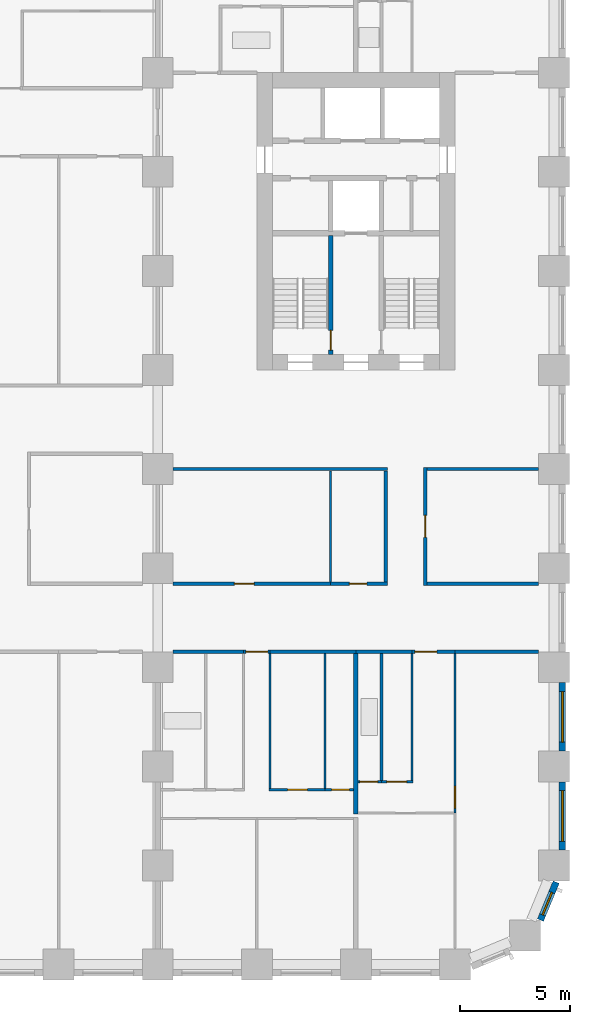
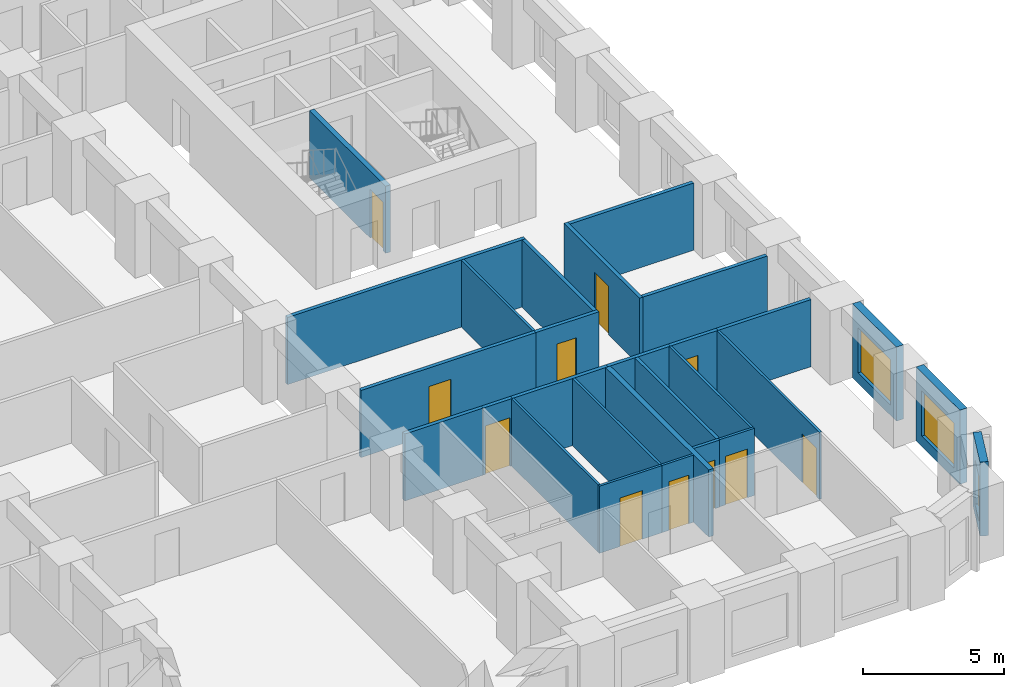
# One storey, part 5 of 13: 28 walls, 11 doors, 3 windows, 14 openings.
"""IFC4 building model written with IfcOpenShell, lengths in metres."""

from ifc_helpers import new_model, si_unit, direction, frame, frame_2d, origin, place, context, subcontext, project, spatial, rectangle, extrude, material, layer, layer_set, type_object, element, fill, save


model = new_model("IFC4")

# Units and contexts
model_context = context("Model", 3, precision=1e-05, world=origin(), true_north=direction((0.0, 1.0)))
body_context = subcontext(model_context, "Body", "Model", "MODEL_VIEW")
ifc_project = project(units=[si_unit("LENGTHUNIT", "METRE"), si_unit("AREAUNIT", "SQUARE_METRE"), si_unit("VOLUMEUNIT", "CUBIC_METRE"), si_unit("PLANEANGLEUNIT", "RADIAN"), si_unit("MASSUNIT", "GRAM", prefix="KILO")], contexts=[model_context])

# Site, building, storey
site_placement = place(None, origin())
site = spatial("IfcSite", under=ifc_project, at=site_placement, CompositionType="ELEMENT")
building_placement = place(site_placement, origin())
building = spatial("IfcBuilding", under=site, at=building_placement, Name="Girih Gate Residences", CompositionType="ELEMENT")
storey_placement = place(building_placement, frame((0.0, 0.0, 52.800048828125)))
storey = spatial("IfcBuildingStorey", under=building, at=storey_placement, Name="L13", CompositionType="ELEMENT", Elevation=52.800048828125)

# Wall
ifc_material_1 = material(Name="Gypsum board on steel studs", Category="steel")
ifc_layer_1 = layer(ifc_material_1, 0.14990234375)
ifc_layer_set_1 = layer_set([ifc_layer_1], Name="Compartment wall 150 mm")
wall_type_1 = type_object("IfcWallType", Name="Compartment wall 150 mm", PredefinedType="PARTITIONING", material=ifc_layer_set_1)
wall_1_placement = place(storey_placement, frame((40.5, 14.199951171875, 0.0), z_axis=(0.0, 0.0, 1.0), x_axis=(1.0, 0.0, 0.0)))
element("IfcWall", 1, at=wall_1_placement, inside=storey, type_object=wall_type_1, Name="L13 partition", PredefinedType="PARTITIONING", context=body_context, shape_type="SweptSolid", body=[
    extrude(rectangle(XDim=2.550048828125, YDim=0.14990234375, at=frame_2d((1.27490234375, 0.0))), origin(), (0.0, 0.0, 1.0), 2.89990234375),
])

# Wall, opening, door
wall_2_placement = place(storey_placement, frame((45.0, 14.199951171875, 0.0), z_axis=(0.0, 0.0, 1.0), x_axis=(-1.0, 0.0, 0.0)))
wall_2 = element("IfcWall", 2, at=wall_2_placement, inside=storey, type_object=wall_type_1, Name="L13 partition", PredefinedType="PARTITIONING", context=body_context, shape_type="SweptSolid", body=[
    extrude(rectangle(XDim=1.949951171875, YDim=0.14990234375, at=frame_2d((0.97509765625, 0.0))), origin(), (0.0, 0.0, 1.0), 2.89990234375),
])
opening_1_placement = place(wall_2_placement, frame((0.820068359375, 0.0, 0.0)))
opening_1 = element("IfcOpeningElement", 3, at=opening_1_placement, cuts=wall_2, Name="Opening A13-021", PredefinedType="OPENING", context=body_context, shape_type="SweptSolid", body=[
    extrude(rectangle(XDim=1.0, YDim=2.10009765625, at=frame_2d((0.5, 1.050048828125))), frame((0.0, 0.0849609375, 0.0), z_axis=(0.0, -1.0, 0.0), x_axis=(1.0, 0.0, 0.0)), (0.0, 0.0, 1.0), 0.169921875),
])
ifc_material_2 = material(Name="Timber, fire-rated core", Category="wood")
door_type_1 = type_object("IfcDoorType", Name="Flat entrance door 1000x2100 FD30S", OperationType="NOTDEFINED", PredefinedType="DOOR", material=ifc_material_2)
door_1_placement = place(opening_1_placement, origin())
door_1 = element("IfcDoor", 4, at=door_1_placement, inside=storey, type_object=door_type_1, Name="Door A13-021", OperationType="SINGLE_SWING_RIGHT", OverallHeight=2.10009765625, OverallWidth=1.0, PredefinedType="DOOR", context=body_context, shape_type="SweptSolid", body=[
    extrude(rectangle(XDim=1.0, YDim=2.10009765625, at=frame_2d((0.5, 1.050048828125))), frame((0.0, 0.02490234375, 0.0), z_axis=(0.0, -1.0, 0.0), x_axis=(1.0, 0.0, 0.0)), (0.0, 0.0, 1.0), 0.050048828125),
])
fill(opening_1, door_1)

# Walls
wall_3_placement = place(storey_placement, frame((45.0, 14.199951171875, 0.0), z_axis=(0.0, 0.0, 1.0), x_axis=(1.0, 0.0, 0.0)))
element("IfcWall", 5, at=wall_3_placement, inside=storey, type_object=wall_type_1, Name="L13 partition", PredefinedType="PARTITIONING", context=body_context, shape_type="SweptSolid", body=[
    extrude(rectangle(XDim=3.800048828125, YDim=0.14990234375, at=frame_2d((1.89990234375, 0.0))), origin(), (0.0, 0.0, 1.0), 2.89990234375),
])
wall_4_placement = place(storey_placement, frame((32.199951171875, 14.199951171875, 0.0), z_axis=(0.0, 0.0, 1.0), x_axis=(1.0, 0.0, 0.0)))
element("IfcWall", 6, at=wall_4_placement, inside=storey, type_object=wall_type_1, Name="L13 partition", PredefinedType="PARTITIONING", context=body_context, shape_type="SweptSolid", body=[
    extrude(rectangle(XDim=3.199951171875, YDim=0.14990234375, at=frame_2d((1.60009765625, 0.0))), origin(), (0.0, 0.0, 1.0), 2.89990234375),
])

# Wall, opening, door
wall_5_placement = place(storey_placement, frame((36.60009765625, 14.199951171875, 0.0), z_axis=(0.0, 0.0, 1.0), x_axis=(-1.0, 0.0, 0.0)))
wall_5 = element("IfcWall", 7, at=wall_5_placement, inside=storey, type_object=wall_type_1, Name="L13 partition", PredefinedType="PARTITIONING", context=body_context, shape_type="SweptSolid", body=[
    extrude(rectangle(XDim=1.2001953125, YDim=0.14990234375, at=frame_2d((0.60009765625, 0.0))), origin(), (0.0, 0.0, 1.0), 2.89990234375),
])
opening_2_placement = place(wall_5_placement, frame((0.10009765625, 0.0, 0.0)))
opening_2 = element("IfcOpeningElement", 8, at=opening_2_placement, cuts=wall_5, Name="Opening A13-028", PredefinedType="OPENING", context=body_context, shape_type="SweptSolid", body=[
    extrude(rectangle(XDim=1.0, YDim=2.10009765625, at=frame_2d((0.5, 1.050048828125))), frame((0.0, 0.0849609375, 0.0), z_axis=(0.0, -1.0, 0.0), x_axis=(1.0, 0.0, 0.0)), (0.0, 0.0, 1.0), 0.169921875),
])
door_2_placement = place(opening_2_placement, origin())
door_2 = element("IfcDoor", 9, at=door_2_placement, inside=storey, type_object=door_type_1, Name="Door A13-028", OperationType="SINGLE_SWING_RIGHT", OverallHeight=2.10009765625, OverallWidth=1.0, PredefinedType="DOOR", context=body_context, shape_type="SweptSolid", body=[
    extrude(rectangle(XDim=1.0, YDim=2.10009765625, at=frame_2d((0.5, 1.050048828125))), frame((0.0, 0.02490234375, 0.0), z_axis=(0.0, -1.0, 0.0), x_axis=(1.0, 0.0, 0.0)), (0.0, 0.0, 1.0), 0.050048828125),
])
fill(opening_2, door_2)

# Wall
wall_6_placement = place(storey_placement, frame((36.60009765625, 14.199951171875, 0.0), z_axis=(0.0, 0.0, 1.0), x_axis=(1.0, 0.0, 0.0)))
element("IfcWall", 10, at=wall_6_placement, inside=storey, type_object=wall_type_1, Name="L13 partition", PredefinedType="PARTITIONING", context=body_context, shape_type="SweptSolid", body=[
    extrude(rectangle(XDim=3.89990234375, YDim=0.14990234375, at=frame_2d((1.949951171875, 0.0))), origin(), (0.0, 0.0, 1.0), 2.89990234375),
])

# Wall, opening, door
wall_7_placement = place(storey_placement, frame((32.199951171875, 17.300048828125, 0.0), z_axis=(0.0, 0.0, 1.0), x_axis=(1.0, 0.0, 0.0)))
wall_7 = element("IfcWall", 11, at=wall_7_placement, inside=storey, type_object=wall_type_1, Name="L13 partition", PredefinedType="PARTITIONING", context=body_context, shape_type="SweptSolid", body=[
    extrude(rectangle(XDim=7.150146484375, YDim=0.14990234375, at=frame_2d((3.5751953125, 0.0))), origin(), (0.0, 0.0, 1.0), 2.89990234375),
])
opening_3_placement = place(wall_7_placement, frame((2.77490234375, 0.0, 0.0)))
opening_3 = element("IfcOpeningElement", 12, at=opening_3_placement, cuts=wall_7, Name="Opening A13-054", PredefinedType="OPENING", context=body_context, shape_type="SweptSolid", body=[
    extrude(rectangle(XDim=0.89990234375, YDim=2.10009765625, at=frame_2d((0.449951171875, 1.050048828125))), frame((0.0, 0.0849609375, 0.0), z_axis=(0.0, -1.0, 0.0), x_axis=(1.0, 0.0, 0.0)), (0.0, 0.0, 1.0), 0.169921875),
])
ifc_material_3 = material(Name="Timber", Category="wood")
door_type_2 = type_object("IfcDoorType", Name="Service room door 900x2100", OperationType="NOTDEFINED", PredefinedType="DOOR", material=ifc_material_3)
door_3_placement = place(opening_3_placement, origin())
door_3 = element("IfcDoor", 13, at=door_3_placement, inside=storey, type_object=door_type_2, Name="Door A13-054", OperationType="SINGLE_SWING_LEFT", OverallHeight=2.10009765625, OverallWidth=0.89990234375, PredefinedType="DOOR", context=body_context, shape_type="SweptSolid", body=[
    extrude(rectangle(XDim=0.89990234375, YDim=2.10009765625, at=frame_2d((0.449951171875, 1.050048828125))), frame((0.0, 0.02490234375, 0.0), z_axis=(0.0, -1.0, 0.0), x_axis=(1.0, 0.0, 0.0)), (0.0, 0.0, 1.0), 0.050048828125),
])
fill(opening_3, door_3)

wall_8_placement = place(storey_placement, frame((39.35009765625, 17.300048828125, 0.0), z_axis=(0.0, 0.0, 1.0), x_axis=(1.0, 0.0, 0.0)))
wall_8 = element("IfcWall", 14, at=wall_8_placement, inside=storey, type_object=wall_type_1, Name="L13 partition", PredefinedType="PARTITIONING", context=body_context, shape_type="SweptSolid", body=[
    extrude(rectangle(XDim=2.574951171875, YDim=0.14990234375, at=frame_2d((1.28759765625, 0.0))), origin(), (0.0, 0.0, 1.0), 2.89990234375),
])
opening_4_placement = place(wall_8_placement, frame((0.85009765625, 0.0, 0.0)))
opening_4 = element("IfcOpeningElement", 15, at=opening_4_placement, cuts=wall_8, Name="Opening A13-056", PredefinedType="OPENING", context=body_context, shape_type="SweptSolid", body=[
    extrude(rectangle(XDim=0.800048828125, YDim=2.10009765625, at=frame_2d((0.39990234375, 1.050048828125))), frame((0.0, 0.0849609375, 0.0), z_axis=(0.0, -1.0, 0.0), x_axis=(1.0, 0.0, 0.0)), (0.0, 0.0, 1.0), 0.169921875),
])
door_type_3 = type_object("IfcDoorType", Name="Bathroom door 800x2100", OperationType="NOTDEFINED", PredefinedType="DOOR", material=ifc_material_3)
door_4_placement = place(opening_4_placement, origin())
door_4 = element("IfcDoor", 16, at=door_4_placement, inside=storey, type_object=door_type_3, Name="Door A13-056", OperationType="SINGLE_SWING_LEFT", OverallHeight=2.10009765625, OverallWidth=0.800048828125, PredefinedType="DOOR", context=body_context, shape_type="SweptSolid", body=[
    extrude(rectangle(XDim=0.800048828125, YDim=2.10009765625, at=frame_2d((0.39990234375, 1.050048828125))), frame((0.0, 0.02490234375, 0.0), z_axis=(0.0, -1.0, 0.0), x_axis=(1.0, 0.0, 0.0)), (0.0, 0.0, 1.0), 0.050048828125),
])
fill(opening_4, door_4)

# Walls
wall_9_placement = place(storey_placement, frame((43.72509765625, 17.300048828125, 0.0), z_axis=(0.0, 0.0, 1.0), x_axis=(1.0, 0.0, 0.0)))
element("IfcWall", 17, at=wall_9_placement, inside=storey, type_object=wall_type_1, Name="L13 partition", PredefinedType="PARTITIONING", context=body_context, shape_type="SweptSolid", body=[
    extrude(rectangle(XDim=5.074951171875, YDim=0.14990234375, at=frame_2d((2.53759765625, 0.0))), origin(), (0.0, 0.0, 1.0), 2.89990234375),
])
wall_10_placement = place(storey_placement, frame((32.199951171875, 22.5, 0.0), z_axis=(0.0, 0.0, 1.0), x_axis=(1.0, 0.0, 0.0)))
element("IfcWall", 18, at=wall_10_placement, inside=storey, type_object=wall_type_1, Name="L13 partition", PredefinedType="PARTITIONING", context=body_context, shape_type="SweptSolid", body=[
    extrude(rectangle(XDim=9.72509765625, YDim=0.14990234375, at=frame_2d((4.862548828125, 0.0))), origin(), (0.0, 0.0, 1.0), 2.89990234375),
])
wall_11_placement = place(storey_placement, frame((43.72509765625, 22.5, 0.0), z_axis=(0.0, 0.0, 1.0), x_axis=(1.0, 0.0, 0.0)))
element("IfcWall", 19, at=wall_11_placement, inside=storey, type_object=wall_type_1, Name="L13 partition", PredefinedType="PARTITIONING", context=body_context, shape_type="SweptSolid", body=[
    extrude(rectangle(XDim=5.074951171875, YDim=0.14990234375, at=frame_2d((2.53759765625, 0.0))), origin(), (0.0, 0.0, 1.0), 2.89990234375),
])
wall_12_placement = place(storey_placement, frame((41.85009765625, 17.375, 0.0), z_axis=(0.0, 0.0, 1.0), x_axis=(0.0, 1.0, 0.0)))
element("IfcWall", 20, at=wall_12_placement, inside=storey, type_object=wall_type_1, Name="L13 partition", PredefinedType="PARTITIONING", context=body_context, shape_type="SweptSolid", body=[
    extrude(rectangle(XDim=5.050048828125, YDim=0.14990234375, at=frame_2d((2.52490234375, 0.0))), origin(), (0.0, 0.0, 1.0), 2.89990234375),
])

# Wall, opening, door
wall_13_placement = place(storey_placement, frame((43.64990234375, 22.574951171875, 0.0), z_axis=(0.0, 0.0, 1.0), x_axis=(0.0, -1.0, 0.0)))
wall_13 = element("IfcWall", 21, at=wall_13_placement, inside=storey, type_object=wall_type_1, Name="L13 partition", PredefinedType="PARTITIONING", context=body_context, shape_type="SweptSolid", body=[
    extrude(rectangle(XDim=5.349853515625, YDim=0.14990234375, at=frame_2d((2.6748046875, 0.0))), origin(), (0.0, 0.0, 1.0), 2.89990234375),
])
opening_5_placement = place(wall_13_placement, frame((2.175048828125, 0.0, 0.0)))
opening_5 = element("IfcOpeningElement", 22, at=opening_5_placement, cuts=wall_13, Name="Opening A13-058", PredefinedType="OPENING", context=body_context, shape_type="SweptSolid", body=[
    extrude(rectangle(XDim=1.0, YDim=2.10009765625, at=frame_2d((0.5, 1.050048828125))), frame((0.0, 0.0849609375, 0.0), z_axis=(0.0, -1.0, 0.0), x_axis=(1.0, 0.0, 0.0)), (0.0, 0.0, 1.0), 0.169921875),
])
door_type_4 = type_object("IfcDoorType", Name="Amenity room door 1000x2100 FD30S", OperationType="NOTDEFINED", PredefinedType="DOOR", material=ifc_material_2)
door_5_placement = place(opening_5_placement, origin())
door_5 = element("IfcDoor", 23, at=door_5_placement, inside=storey, type_object=door_type_4, Name="Door A13-058", OperationType="SINGLE_SWING_RIGHT", OverallHeight=2.10009765625, OverallWidth=1.0, PredefinedType="DOOR", context=body_context, shape_type="SweptSolid", body=[
    extrude(rectangle(XDim=1.0, YDim=2.10009765625, at=frame_2d((0.5, 1.050048828125))), frame((0.0, 0.02490234375, 0.0), z_axis=(0.0, -1.0, 0.0), x_axis=(1.0, 0.0, 0.0)), (0.0, 0.0, 1.0), 0.050048828125),
])
fill(opening_5, door_5)

ifc_layer_2 = layer(ifc_material_1, 0.10009765625)
ifc_layer_set_2 = layer_set([ifc_layer_2], Name="Partition 100 mm")
wall_type_2 = type_object("IfcWallType", Name="Partition 100 mm", PredefinedType="PARTITIONING", material=ifc_layer_set_2)
wall_14_placement = place(storey_placement, frame((41.6591796875, 8.300048828125, 0.0), z_axis=(0.0, 0.0, 1.0), x_axis=(1.0, 0.0, 0.0)))
wall_14 = element("IfcWall", 24, at=wall_14_placement, inside=storey, type_object=wall_type_2, Name="L13 partition", PredefinedType="PARTITIONING", context=body_context, shape_type="SweptSolid", body=[
    extrude(rectangle(XDim=1.44091796875, YDim=0.10009765625, at=frame_2d((0.720458984375, 0.0))), origin(), (0.0, 0.0, 1.0), 2.89990234375),
])
opening_6_placement = place(wall_14_placement, frame((0.24560546875, 0.0, 0.0)))
opening_6 = element("IfcOpeningElement", 25, at=opening_6_placement, cuts=wall_14, Name="Opening A13-019", PredefinedType="OPENING", context=body_context, shape_type="SweptSolid", body=[
    extrude(rectangle(XDim=0.89990234375, YDim=2.10009765625, at=frame_2d((0.449951171875, 1.050048828125))), frame((0.0, 0.06005859375, 0.0), z_axis=(0.0, -1.0, 0.0), x_axis=(1.0, 0.0, 0.0)), (0.0, 0.0, 1.0), 0.1201171875),
])
door_type_5 = type_object("IfcDoorType", Name="Kitchen door 900x2100", OperationType="NOTDEFINED", PredefinedType="DOOR", material=ifc_material_3)
door_6_placement = place(opening_6_placement, origin())
door_6 = element("IfcDoor", 26, at=door_6_placement, inside=storey, type_object=door_type_5, Name="Door A13-019", OperationType="SINGLE_SWING_LEFT", OverallHeight=2.10009765625, OverallWidth=0.89990234375, PredefinedType="DOOR", context=body_context, shape_type="SweptSolid", body=[
    extrude(rectangle(XDim=0.89990234375, YDim=2.10009765625, at=frame_2d((0.449951171875, 1.050048828125))), frame((0.0, 0.02490234375, 0.0), z_axis=(0.0, -1.0, 0.0), x_axis=(1.0, 0.0, 0.0)), (0.0, 0.0, 1.0), 0.050048828125),
])
fill(opening_6, door_6)

# Wall
wall_15_placement = place(storey_placement, frame((43.050048828125, 8.35009765625, 0.0), z_axis=(0.0, 0.0, 1.0), x_axis=(0.0, 1.0, 0.0)))
element("IfcWall", 27, at=wall_15_placement, inside=storey, type_object=wall_type_2, Name="L13 partition", PredefinedType="PARTITIONING", context=body_context, shape_type="SweptSolid", body=[
    extrude(rectangle(XDim=5.77490234375, YDim=0.10009765625, at=frame_2d((2.887451171875, 0.0))), origin(), (0.0, 0.0, 1.0), 2.89990234375),
])

# Wall, opening, door
wall_16_placement = place(storey_placement, frame((45.0, 14.125, 0.0), z_axis=(0.0, 0.0, 1.0), x_axis=(0.0, -1.0, 0.0)))
wall_16 = element("IfcWall", 28, at=wall_16_placement, inside=storey, type_object=wall_type_2, Name="L13 partition", PredefinedType="PARTITIONING", context=body_context, shape_type="SweptSolid", body=[
    extrude(rectangle(XDim=7.2451171875, YDim=0.10009765625, at=frame_2d((3.62255859375, 0.0))), origin(), (0.0, 0.0, 1.0), 2.89990234375),
])
opening_7_placement = place(wall_16_placement, frame((6.034912109375, 0.0, 0.0)))
opening_7 = element("IfcOpeningElement", 29, at=opening_7_placement, cuts=wall_16, Name="Opening A13-020", PredefinedType="OPENING", context=body_context, shape_type="SweptSolid", body=[
    extrude(rectangle(XDim=1.0, YDim=2.10009765625, at=frame_2d((0.5, 1.050048828125))), frame((0.0, 0.06005859375, 0.0), z_axis=(0.0, -1.0, 0.0), x_axis=(1.0, 0.0, 0.0)), (0.0, 0.0, 1.0), 0.1201171875),
])
door_type_6 = type_object("IfcDoorType", Name="Living room door 1000x2100", OperationType="NOTDEFINED", PredefinedType="DOOR", material=ifc_material_3)
door_7_placement = place(opening_7_placement, origin())
door_7 = element("IfcDoor", 30, at=door_7_placement, inside=storey, type_object=door_type_6, Name="Door A13-020", OperationType="SINGLE_SWING_RIGHT", OverallHeight=2.10009765625, OverallWidth=1.0, PredefinedType="DOOR", context=body_context, shape_type="SweptSolid", body=[
    extrude(rectangle(XDim=1.0, YDim=2.10009765625, at=frame_2d((0.5, 1.050048828125))), frame((0.0, 0.02490234375, 0.0), z_axis=(0.0, -1.0, 0.0), x_axis=(1.0, 0.0, 0.0)), (0.0, 0.0, 1.0), 0.050048828125),
])
fill(opening_7, door_7)

# Wall
wall_17_placement = place(storey_placement, frame((36.60009765625, 7.989990234375, 0.0), z_axis=(0.0, 0.0, 1.0), x_axis=(0.0, 1.0, 0.0)))
element("IfcWall", 31, at=wall_17_placement, inside=storey, type_object=wall_type_2, Name="L13 partition", PredefinedType="PARTITIONING", context=body_context, shape_type="SweptSolid", body=[
    extrude(rectangle(XDim=6.135009765625, YDim=0.10009765625, at=frame_2d((3.0673828125, 0.0))), origin(), (0.0, 0.0, 1.0), 2.89990234375),
])

# Wall, opening, door
wall_18_placement = place(storey_placement, frame((36.550048828125, 7.93994140625, 0.0), z_axis=(0.0, 0.0, 1.0), x_axis=(1.0, 0.0, 0.0)))
wall_18 = element("IfcWall", 32, at=wall_18_placement, inside=storey, type_object=wall_type_2, Name="L13 partition", PredefinedType="PARTITIONING", context=body_context, shape_type="SweptSolid", body=[
    extrude(rectangle(XDim=2.54931640625, YDim=0.10009765625, at=frame_2d((1.274658203125, 0.0))), origin(), (0.0, 0.0, 1.0), 2.89990234375),
])
opening_8_placement = place(wall_18_placement, frame((0.849609375, 0.0, 0.0)))
opening_8 = element("IfcOpeningElement", 33, at=opening_8_placement, cuts=wall_18, Name="Opening A13-024", PredefinedType="OPENING", context=body_context, shape_type="SweptSolid", body=[
    extrude(rectangle(XDim=0.89990234375, YDim=2.10009765625, at=frame_2d((0.449951171875, 1.050048828125))), frame((0.0, 0.06005859375, 0.0), z_axis=(0.0, -1.0, 0.0), x_axis=(1.0, 0.0, 0.0)), (0.0, 0.0, 1.0), 0.1201171875),
])
door_8_placement = place(opening_8_placement, origin())
door_8 = element("IfcDoor", 34, at=door_8_placement, inside=storey, type_object=door_type_5, Name="Door A13-024", OperationType="SINGLE_SWING_RIGHT", OverallHeight=2.10009765625, OverallWidth=0.89990234375, PredefinedType="DOOR", context=body_context, shape_type="SweptSolid", body=[
    extrude(rectangle(XDim=0.89990234375, YDim=2.10009765625, at=frame_2d((0.449951171875, 1.050048828125))), frame((0.0, 0.02490234375, 0.0), z_axis=(0.0, -1.0, 0.0), x_axis=(1.0, 0.0, 0.0)), (0.0, 0.0, 1.0), 0.050048828125),
])
fill(opening_8, door_8)

wall_19_placement = place(storey_placement, frame((39.099365234375, 7.93994140625, 0.0), z_axis=(0.0, 0.0, 1.0), x_axis=(1.0, 0.0, 0.0)))
wall_19 = element("IfcWall", 35, at=wall_19_placement, inside=storey, type_object=wall_type_2, Name="L13 partition", PredefinedType="PARTITIONING", context=body_context, shape_type="SweptSolid", body=[
    extrude(rectangle(XDim=1.300537109375, YDim=0.10009765625, at=frame_2d((0.650390625, 0.0))), origin(), (0.0, 0.0, 1.0), 2.89990234375),
])
opening_9_placement = place(wall_19_placement, frame((0.30029296875, 0.0, 0.0)))
opening_9 = element("IfcOpeningElement", 36, at=opening_9_placement, cuts=wall_19, Name="Opening A13-026", PredefinedType="OPENING", context=body_context, shape_type="SweptSolid", body=[
    extrude(rectangle(XDim=0.800048828125, YDim=2.10009765625, at=frame_2d((0.39990234375, 1.050048828125))), frame((0.0, 0.06005859375, 0.0), z_axis=(0.0, -1.0, 0.0), x_axis=(1.0, 0.0, 0.0)), (0.0, 0.0, 1.0), 0.1201171875),
])
door_type_7 = type_object("IfcDoorType", Name="Store door 800x2100", OperationType="NOTDEFINED", PredefinedType="DOOR", material=ifc_material_3)
door_9_placement = place(opening_9_placement, origin())
door_9 = element("IfcDoor", 37, at=door_9_placement, inside=storey, type_object=door_type_7, Name="Door A13-026", OperationType="SINGLE_SWING_RIGHT", OverallHeight=2.10009765625, OverallWidth=0.800048828125, PredefinedType="DOOR", context=body_context, shape_type="SweptSolid", body=[
    extrude(rectangle(XDim=0.800048828125, YDim=2.10009765625, at=frame_2d((0.39990234375, 1.050048828125))), frame((0.0, 0.02490234375, 0.0), z_axis=(0.0, -1.0, 0.0), x_axis=(1.0, 0.0, 0.0)), (0.0, 0.0, 1.0), 0.050048828125),
])
fill(opening_9, door_9)

# Walls
wall_20_placement = place(storey_placement, frame((39.09912109375, 7.989990234375, 0.0), z_axis=(0.0, 0.0, 1.0), x_axis=(0.0, 1.0, 0.0)))
element("IfcWall", 38, at=wall_20_placement, inside=storey, type_object=wall_type_2, Name="L13 partition", PredefinedType="PARTITIONING", context=body_context, shape_type="SweptSolid", body=[
    extrude(rectangle(XDim=6.135009765625, YDim=0.10009765625, at=frame_2d((3.0673828125, 0.0))), origin(), (0.0, 0.0, 1.0), 2.89990234375),
])
wall_21_placement = place(storey_placement, frame((39.35009765625, 17.375, 0.0), z_axis=(0.0, 0.0, 1.0), x_axis=(0.0, 1.0, 0.0)))
element("IfcWall", 39, at=wall_21_placement, inside=storey, type_object=wall_type_2, Name="L13 partition", PredefinedType="PARTITIONING", context=body_context, shape_type="SweptSolid", body=[
    extrude(rectangle(XDim=5.050048828125, YDim=0.10009765625, at=frame_2d((2.52490234375, 0.0))), origin(), (0.0, 0.0, 1.0), 2.89990234375),
])
ifc_layer_3 = layer(ifc_material_1, 0.199951171875)
ifc_layer_set_3 = layer_set([ifc_layer_3], Name="Party wall 200 mm")
wall_type_3 = type_object("IfcWallType", Name="Party wall 200 mm", PredefinedType="PARTITIONING", material=ifc_layer_set_3)
wall_22_placement = place(storey_placement, frame((40.5, 6.830078125, 0.0), z_axis=(0.0, 0.0, 1.0), x_axis=(0.0, 1.0, 0.0)))
element("IfcWall", 40, at=wall_22_placement, inside=storey, type_object=wall_type_3, Name="L13 partition", PredefinedType="PARTITIONING", context=body_context, shape_type="SweptSolid", body=[
    extrude(rectangle(XDim=7.294921875, YDim=0.199951171875, at=frame_2d((3.6474609375, 0.0))), origin(), (0.0, 0.0, 1.0), 2.89990234375),
])

# Wall, opening, window
ifc_material_4 = material(Name="Precast concrete C50/60", Category="concrete")
ifc_layer_4 = layer(ifc_material_4, 0.080078125, Name="Outer leaf")
ifc_material_5 = material(Name="Rigid PIR insulation")
ifc_layer_5 = layer(ifc_material_5, 0.14990234375, Name="Insulation")
ifc_material_6 = material(Name="Precast concrete C40/50", Category="concrete")
ifc_layer_6 = layer(ifc_material_6, 0.070068359375, Name="Inner leaf")
ifc_layer_set_4 = layer_set([ifc_layer_4, ifc_layer_5, ifc_layer_6], Name="Precast concrete C50/60 external wall 300")
wall_type_4 = type_object("IfcWallType", Name="Precast concrete C50/60 external wall 300", PredefinedType="SOLIDWALL", material=ifc_layer_set_4)
wall_23_placement = place(storey_placement, frame((49.59228515625, 3.74267578125, 0.0), z_axis=(0.0, 0.0, 1.0), x_axis=(-0.382737135771, -0.923857286003, 0.0)))
wall_23 = element("IfcWall", 41, at=wall_23_placement, inside=storey, type_object=wall_type_4, Name="External wall SE0482_0013.0", PredefinedType="SOLIDWALL", context=body_context, shape_type="SweptSolid", body=[
    extrude(rectangle(XDim=1.865234375, YDim=0.300048828125, at=frame_2d((0.9326171875, 0.0))), origin(), (0.0, 0.0, 1.0), 3.199951171875),
])
opening_10_placement = place(wall_23_placement, frame((0.507568359375, 0.0, 0.449951171875)))
opening_10 = element("IfcOpeningElement", 42, at=opening_10_placement, cuts=wall_23, Name="Opening W-2C", PredefinedType="OPENING", context=body_context, shape_type="SweptSolid", body=[
    extrude(rectangle(XDim=1.10009765625, YDim=1.949951171875, at=frame_2d((0.550048828125, 0.97509765625))), frame((0.0, 0.159912109375, 0.0), z_axis=(0.0, -1.0, 0.0), x_axis=(1.0, 0.0, 0.0)), (0.0, 0.0, 1.0), 0.320068359375),
])
ifc_material_7 = material(Name="Double glazing in aluminium frame", Category="aluminium")
window_type_1 = type_object("IfcWindowType", Name="Window W-2C 1100x1950", PartitioningType="SINGLE_PANEL", PredefinedType="WINDOW", material=ifc_material_7)
window_1_placement = place(opening_10_placement, origin())
window_1 = element("IfcWindow", 43, at=window_1_placement, inside=storey, type_object=window_type_1, Name="Window W-2C SE0482_0013.0", OverallHeight=1.949951171875, OverallWidth=1.10009765625, PartitioningType="SINGLE_PANEL", PredefinedType="WINDOW", context=body_context, shape_type="SweptSolid", body=[
    extrude(rectangle(XDim=1.10009765625, YDim=1.949951171875, at=frame_2d((0.550048828125, 0.97509765625))), frame((0.0, 0.030029296875, 0.0), z_axis=(0.0, -1.0, 0.0), x_axis=(1.0, 0.0, 0.0)), (0.0, 0.0, 1.0), 0.06005859375),
])
fill(opening_10, window_1)

wall_24_placement = place(storey_placement, frame((49.875, 8.300048828125, 0.0), z_axis=(0.0, 0.0, 1.0), x_axis=(0.0, -1.0, 0.0)))
wall_24 = element("IfcWall", 44, at=wall_24_placement, inside=storey, type_object=wall_type_4, Name="External wall E0495_0045.0", PredefinedType="SOLIDWALL", context=body_context, shape_type="SweptSolid", body=[
    extrude(rectangle(XDim=3.10009765625, YDim=0.300048828125, at=frame_2d((1.550048828125, 0.0))), origin(), (0.0, 0.0, 1.0), 3.199951171875),
])
opening_11_placement = place(wall_24_placement, frame((0.39990234375, 0.0, 0.449951171875)))
opening_11 = element("IfcOpeningElement", 45, at=opening_11_placement, cuts=wall_24, Name="Opening W-1", PredefinedType="OPENING", context=body_context, shape_type="SweptSolid", body=[
    extrude(rectangle(XDim=2.300048828125, YDim=1.949951171875, at=frame_2d((1.14990234375, 0.97509765625))), frame((0.0, 0.159912109375, 0.0), z_axis=(0.0, -1.0, 0.0), x_axis=(1.0, 0.0, 0.0)), (0.0, 0.0, 1.0), 0.320068359375),
])
window_type_2 = type_object("IfcWindowType", Name="Window W-1 2300x1950", PartitioningType="SINGLE_PANEL", PredefinedType="WINDOW", material=ifc_material_7)
window_2_placement = place(opening_11_placement, origin())
window_2 = element("IfcWindow", 46, at=window_2_placement, inside=storey, type_object=window_type_2, Name="Window W-1 E0495_0045.0", OverallHeight=1.949951171875, OverallWidth=2.300048828125, PartitioningType="SINGLE_PANEL", PredefinedType="WINDOW", context=body_context, shape_type="SweptSolid", body=[
    extrude(rectangle(XDim=2.300048828125, YDim=1.949951171875, at=frame_2d((1.14990234375, 0.97509765625))), frame((0.0, 0.030029296875, 0.0), z_axis=(0.0, -1.0, 0.0), x_axis=(1.0, 0.0, 0.0)), (0.0, 0.0, 1.0), 0.06005859375),
])
fill(opening_11, window_2)

wall_25_placement = place(storey_placement, frame((49.875, 12.800048828125, 0.0), z_axis=(0.0, 0.0, 1.0), x_axis=(0.0, -1.0, 0.0)))
wall_25 = element("IfcWall", 47, at=wall_25_placement, inside=storey, type_object=wall_type_4, Name="External wall E0495_0045.1", PredefinedType="SOLIDWALL", context=body_context, shape_type="SweptSolid", body=[
    extrude(rectangle(XDim=3.10009765625, YDim=0.300048828125, at=frame_2d((1.550048828125, 0.0))), origin(), (0.0, 0.0, 1.0), 3.199951171875),
])
opening_12_placement = place(wall_25_placement, frame((0.39990234375, 0.0, 0.449951171875)))
opening_12 = element("IfcOpeningElement", 48, at=opening_12_placement, cuts=wall_25, Name="Opening W-1", PredefinedType="OPENING", context=body_context, shape_type="SweptSolid", body=[
    extrude(rectangle(XDim=2.300048828125, YDim=1.949951171875, at=frame_2d((1.14990234375, 0.97509765625))), frame((0.0, 0.159912109375, 0.0), z_axis=(0.0, -1.0, 0.0), x_axis=(1.0, 0.0, 0.0)), (0.0, 0.0, 1.0), 0.320068359375),
])
window_3_placement = place(opening_12_placement, origin())
window_3 = element("IfcWindow", 49, at=window_3_placement, inside=storey, type_object=window_type_2, Name="Window W-1 E0495_0045.1", OverallHeight=1.949951171875, OverallWidth=2.300048828125, PartitioningType="SINGLE_PANEL", PredefinedType="WINDOW", context=body_context, shape_type="SweptSolid", body=[
    extrude(rectangle(XDim=2.300048828125, YDim=1.949951171875, at=frame_2d((1.14990234375, 0.97509765625))), frame((0.0, 0.030029296875, 0.0), z_axis=(0.0, -1.0, 0.0), x_axis=(1.0, 0.0, 0.0)), (0.0, 0.0, 1.0), 0.06005859375),
])
fill(opening_12, window_3)

# Wall, opening, door
ifc_material_8 = material(Name="Concrete C40/50", Category="concrete")
ifc_layer_7 = layer(ifc_material_8, 0.199951171875)
ifc_layer_set_5 = layer_set([ifc_layer_7], Name="Shaft wall 200")
wall_type_5 = type_object("IfcWallType", Name="Shaft wall 200", PredefinedType="SOLIDWALL", material=ifc_layer_set_5)
wall_26_placement = place(storey_placement, frame((39.35009765625, 27.699951171875, 0.0), z_axis=(0.0, 0.0, 1.0), x_axis=(0.0, 1.0, 0.0)))
wall_26 = element("IfcWall", 50, at=wall_26_placement, inside=storey, type_object=wall_type_5, Name="L13 E core wall V2a", PredefinedType="SOLIDWALL", context=body_context, shape_type="SweptSolid", body=[
    extrude(rectangle(XDim=5.400146484375, YDim=0.199951171875, at=frame_2d((2.7001953125, 0.0))), origin(), (0.0, 0.0, 1.0), 2.89990234375),
])
opening_13_placement = place(wall_26_placement, frame((0.199951171875, 0.0, 0.0)))
opening_13 = element("IfcOpeningElement", 51, at=opening_13_placement, cuts=wall_26, Name="Opening D-L13-E-002", PredefinedType="OPENING", context=body_context, shape_type="SweptSolid", body=[
    extrude(rectangle(XDim=0.89990234375, YDim=2.10009765625, at=frame_2d((0.449951171875, 1.050048828125))), frame((0.0, 0.10986328125, 0.0), z_axis=(0.0, -1.0, 0.0), x_axis=(1.0, 0.0, 0.0)), (0.0, 0.0, 1.0), 0.219970703125),
])
ifc_material_9 = material(Name="Painted steel, fire-resisting", Category="steel")
door_type_8 = type_object("IfcDoorType", Name="Fire door 900x2100", OperationType="SINGLE_SWING_LEFT", PredefinedType="DOOR", material=ifc_material_9)
door_10_placement = place(opening_13_placement, origin())
door_10 = element("IfcDoor", 52, at=door_10_placement, inside=storey, type_object=door_type_8, Name="L13 E door stair 2 to firefighting lobby", OperationType="SINGLE_SWING_LEFT", OverallHeight=2.10009765625, OverallWidth=0.89990234375, PredefinedType="DOOR", context=body_context, shape_type="SweptSolid", body=[
    extrude(rectangle(XDim=0.89990234375, YDim=2.10009765625, at=frame_2d((0.449951171875, 1.050048828125))), frame((0.0, 0.02490234375, 0.0), z_axis=(0.0, -1.0, 0.0), x_axis=(1.0, 0.0, 0.0)), (0.0, 0.0, 1.0), 0.050048828125),
])
fill(opening_13, door_10)

ifc_layer_8 = layer(ifc_material_1, 0.125)
ifc_layer_set_6 = layer_set([ifc_layer_8], Name="Wet room wall 125 mm")
wall_type_6 = type_object("IfcWallType", Name="Wet room wall 125 mm", PredefinedType="PARTITIONING", material=ifc_layer_set_6)
wall_27_placement = place(storey_placement, frame((40.60009765625, 8.300048828125, 0.0), z_axis=(0.0, 0.0, 1.0), x_axis=(1.0, 0.0, 0.0)))
wall_27 = element("IfcWall", 53, at=wall_27_placement, inside=storey, type_object=wall_type_6, Name="L13 partition", PredefinedType="PARTITIONING", context=body_context, shape_type="SweptSolid", body=[
    extrude(rectangle(XDim=1.05908203125, YDim=0.125, at=frame_2d((0.529541015625, 0.0))), origin(), (0.0, 0.0, 1.0), 2.89990234375),
])
opening_14_placement = place(wall_27_placement, frame((0.07958984375, 0.0, 0.0)))
opening_14 = element("IfcOpeningElement", 54, at=opening_14_placement, cuts=wall_27, Name="Opening A13-017", PredefinedType="OPENING", context=body_context, shape_type="SweptSolid", body=[
    extrude(rectangle(XDim=0.800048828125, YDim=2.10009765625, at=frame_2d((0.39990234375, 1.050048828125))), frame((0.0, 0.072509765625, 0.0), z_axis=(0.0, -1.0, 0.0), x_axis=(1.0, 0.0, 0.0)), (0.0, 0.0, 1.0), 0.14501953125),
])
door_11_placement = place(opening_14_placement, origin())
door_11 = element("IfcDoor", 55, at=door_11_placement, inside=storey, type_object=door_type_3, Name="Door A13-017", OperationType="SINGLE_SWING_LEFT", OverallHeight=2.10009765625, OverallWidth=0.800048828125, PredefinedType="DOOR", context=body_context, shape_type="SweptSolid", body=[
    extrude(rectangle(XDim=0.800048828125, YDim=2.10009765625, at=frame_2d((0.39990234375, 1.050048828125))), frame((0.0, 0.02490234375, 0.0), z_axis=(0.0, -1.0, 0.0), x_axis=(1.0, 0.0, 0.0)), (0.0, 0.0, 1.0), 0.050048828125),
])
fill(opening_14, door_11)

# Wall
wall_28_placement = place(storey_placement, frame((41.658935546875, 8.362548828125, 0.0), z_axis=(0.0, 0.0, 1.0), x_axis=(0.0, 1.0, 0.0)))
element("IfcWall", 56, at=wall_28_placement, inside=storey, type_object=wall_type_6, Name="L13 partition", PredefinedType="PARTITIONING", context=body_context, shape_type="SweptSolid", body=[
    extrude(rectangle(XDim=5.762451171875, YDim=0.125, at=frame_2d((2.88134765625, 0.0))), origin(), (0.0, 0.0, 1.0), 2.89990234375),
])

save(model, "model.ifc")
